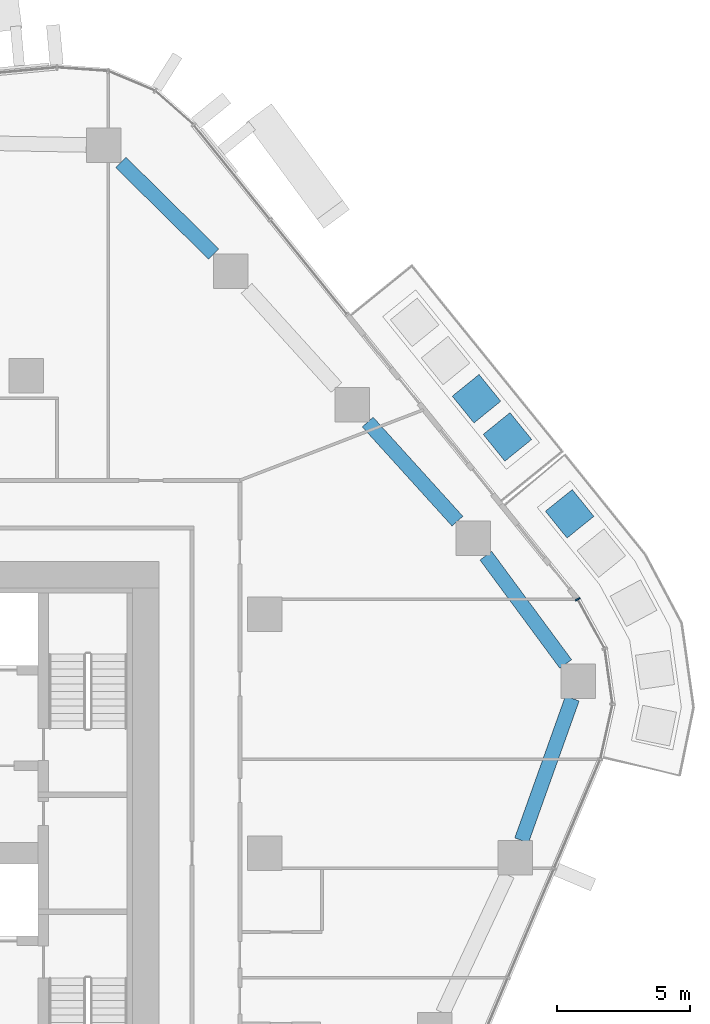
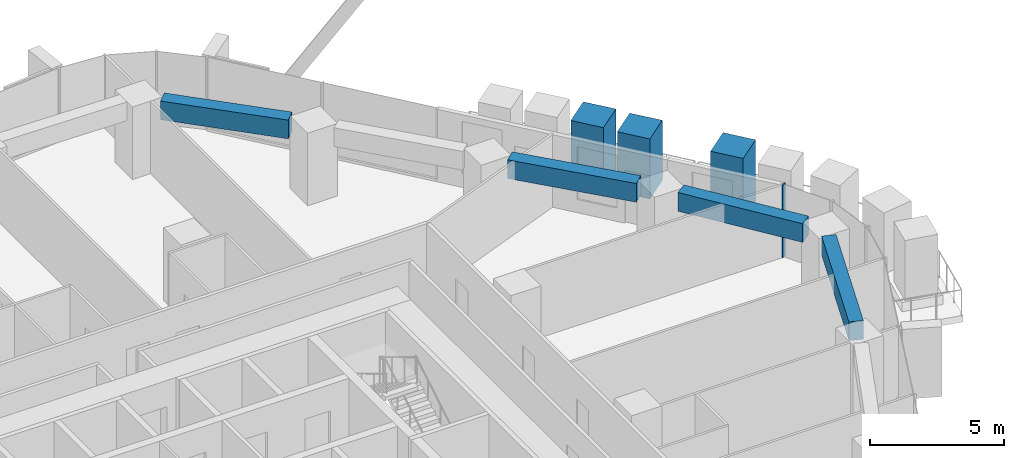
# One storey, part 7 of 23: 4 beams, 4 members, 1 element without a shape of its own.
"""IFC4 building model written with IfcOpenShell, lengths in metres."""

from ifc_helpers import new_model, si_unit, direction, frame, origin, origin_2d, place, context, subcontext, project, spatial, rectangle, extrude, material, layer, layer_set, material_profile, profile_set, type_object, element, aggregate, save


model = new_model("IFC4")

# Units and contexts
model_context = context("Model", 3, precision=1e-05, world=origin(), true_north=direction((0.0, 1.0)))
body_context = subcontext(model_context, "Body", "Model", "MODEL_VIEW")
ifc_project = project(units=[si_unit("LENGTHUNIT", "METRE"), si_unit("AREAUNIT", "SQUARE_METRE"), si_unit("VOLUMEUNIT", "CUBIC_METRE"), si_unit("PLANEANGLEUNIT", "RADIAN"), si_unit("MASSUNIT", "GRAM", prefix="KILO")], contexts=[model_context])

# Site, building, storey
site_placement = place(None, origin())
site = spatial("IfcSite", under=ifc_project, at=site_placement, CompositionType="ELEMENT")
building_placement = place(site_placement, origin())
building = spatial("IfcBuilding", under=site, at=building_placement, Name="Dongbaek Canopy Tower", CompositionType="ELEMENT")
storey_placement = place(building_placement, frame((0.0, 0.0, 121.10009765625)))
storey = spatial("IfcBuildingStorey", under=building, at=storey_placement, Name="L26", CompositionType="ELEMENT", Elevation=121.10009765625)

# Curtain wall, member
ifc_material_1 = material(Name="Aluminium 6063-T6 pale anodised", Category="aluminium")
ifc_layer = layer(ifc_material_1, 0.199951171875)
ifc_layer_set = layer_set([ifc_layer], Name="CW-1 unitised tower curtain wall")
curtain_wall_type = type_object("IfcCurtainWallType", Name="CW-1 unitised tower curtain wall", PredefinedType="NOTDEFINED", material=ifc_layer_set)
curtain_wall_placement = place(storey_placement, origin())
curtain_wall = element("IfcCurtainWall", 1, at=curtain_wall_placement, inside=storey, type_object=curtain_wall_type, Name="CW-1 curtain wall K0.1", PredefinedType="NOTDEFINED")
ifc_material_2 = material(Name="Aluminium 6063-T6 pale anodised", Category="aluminium")
ifc_material_profile_1 = material_profile(ifc_material_2, rectangle(XDim=0.199951171875, YDim=0.06005859375, at=origin_2d()), Name="CW-1 mullion 60 x 200")
ifc_profile_set_1 = profile_set([ifc_material_profile_1], Name="Aluminium 6063-T6 pale anodised")
member_type_1 = type_object("IfcMemberType", Name="CW-1 mullion 60 x 200", PredefinedType="MULLION", material=ifc_profile_set_1)
member_1_placement = place(storey_placement, frame((29.782958984375, 9.572021484375, 0.0), z_axis=(0.0, 0.0, 1.0), x_axis=(0.87734214374, 0.479865359052, 0.0)))
member_1 = element("IfcMember", 2, at=member_1_placement, type_object=member_type_1, Name="CW-1 mullion K0.1.4", PredefinedType="MULLION", context=body_context, shape_type="SweptSolid", body=[
    extrude(rectangle(XDim=0.199951171875, YDim=0.06005859375, at=origin_2d()), origin(), (0.0, 0.0, 1.0), 3.2998046875),
])
aggregate(curtain_wall, [member_1])

# Beams
ifc_material_3 = material(Name="Concrete C80", Category="concrete")
ifc_material_profile_2 = material_profile(ifc_material_3, rectangle(XDim=0.550048828125, YDim=0.85009765625, at=origin_2d()), Name="RC EDGE BEAM 550x850 C80")
ifc_profile_set_2 = profile_set([ifc_material_profile_2], Name="Concrete C80")
beam_type = type_object("IfcBeamType", Name="RC EDGE BEAM 550x850 C80", PredefinedType="BEAM", material=ifc_profile_set_2)
beam_1_placement = place(storey_placement, frame((12.56689453125, 26.032470703125, 2.875), z_axis=(0.711707070228, -0.702476366995, 0.0), x_axis=(0.702476366995, 0.711707070228, 0.0)))
element("IfcBeam", 3, at=beam_1_placement, inside=storey, type_object=beam_type, Name="EDGEBEAM:L26:17", PredefinedType="BEAM", context=body_context, shape_type="SweptSolid", body=[
    extrude(rectangle(XDim=0.550048828125, YDim=0.85009765625, at=origin_2d()), origin(), (0.0, 0.0, 1.0), 4.91943359375),
])
beam_2_placement = place(storey_placement, frame((21.86865234375, 16.248046875, 2.875), z_axis=(0.671270897358, -0.74121210349, 0.0), x_axis=(0.74121210349, 0.671270897358, 0.0)))
element("IfcBeam", 4, at=beam_2_placement, inside=storey, type_object=beam_type, Name="EDGEBEAM:L26:19", PredefinedType="BEAM", context=body_context, shape_type="SweptSolid", body=[
    extrude(rectangle(XDim=0.550048828125, YDim=0.85009765625, at=origin_2d()), origin(), (0.0, 0.0, 1.0), 5.04052734375),
])
beam_3_placement = place(storey_placement, frame((26.320556640625, 11.2119140625, 2.875), z_axis=(0.593780308667, -0.804627208736, 0.0), x_axis=(0.804627208736, 0.593780308667, 0.0)))
element("IfcBeam", 5, at=beam_3_placement, inside=storey, type_object=beam_type, Name="EDGEBEAM:L26:20", PredefinedType="BEAM", context=body_context, shape_type="SweptSolid", body=[
    extrude(rectangle(XDim=0.550048828125, YDim=0.85009765625, at=origin_2d()), origin(), (0.0, 0.0, 1.0), 5.070556640625),
])
beam_4_placement = place(storey_placement, frame((29.578857421875, 5.83203125, 2.875), z_axis=(-0.33649709705, -0.941684503258, 0.0), x_axis=(0.941684503258, -0.33649709705, 0.0)))
element("IfcBeam", 6, at=beam_4_placement, inside=storey, type_object=beam_type, Name="EDGEBEAM:L26:21", PredefinedType="BEAM", context=body_context, shape_type="SweptSolid", body=[
    extrude(rectangle(XDim=0.550048828125, YDim=0.85009765625, at=origin_2d()), origin(), (0.0, 0.0, 1.0), 5.677978515625),
])

# Members
ifc_material_4 = material(Name="Concrete C40/50 planter mass with planting", Category="concrete")
ifc_material_profile_3 = material_profile(ifc_material_4, rectangle(XDim=1.300048828125, YDim=1.300048828125, at=origin_2d()), Name="Terrace PLANTER shrub mass 1300 x 1300")
ifc_profile_set_3 = profile_set([ifc_material_profile_3], Name="Concrete C40/50 planter mass with planting")
member_type_2 = type_object("IfcMemberType", Name="Terrace PLANTER shrub mass 1300 x 1300", PredefinedType="USERDEFINED", material=ifc_profile_set_3)
member_2_placement = place(storey_placement, frame((27.134521484375, 15.687255859375, 0.419921875), z_axis=(0.0, 0.0, 1.0), x_axis=(0.777161000453, 0.629301818982, 0.0)))
element("IfcMember", 7, at=member_2_placement, inside=storey, type_object=member_type_2, Name="Planter shrubs L26 1.1", ObjectType="PLANTER", PredefinedType="USERDEFINED", context=body_context, shape_type="SweptSolid", body=[
    extrude(rectangle(XDim=1.300048828125, YDim=1.300048828125, at=origin_2d()), origin(), (0.0, 0.0, 1.0), 2.72998046875),
])
for number, where, z_axis, x_axis, name in (
    (8, (25.969482421875, 17.1259765625, 0.419921875), (0.0, 0.0, 1.0), (0.777161000453, 0.629301818982, 0.0), "Planter shrubs L26 1.2"),
    (9, (29.478515625, 12.789794921875, 0.419921875), (0.0, 0.0, 1.0), (0.778293029355, 0.627901234637, 0.0), "Planter shrubs L26 5.5"),
):
    element("IfcMember", number, at=place(storey_placement, frame(where, z_axis=z_axis, x_axis=x_axis)), inside=storey, type_object=member_type_2, Name=name, ObjectType="PLANTER", PredefinedType="USERDEFINED", context=body_context, shape_type="SweptSolid", body=[
        extrude(rectangle(XDim=1.300048828125, YDim=1.300048828125, at=origin_2d()), origin(), (0.0, 0.0, 1.0), 2.780029296875),
    ])

save(model, "model.ifc")
